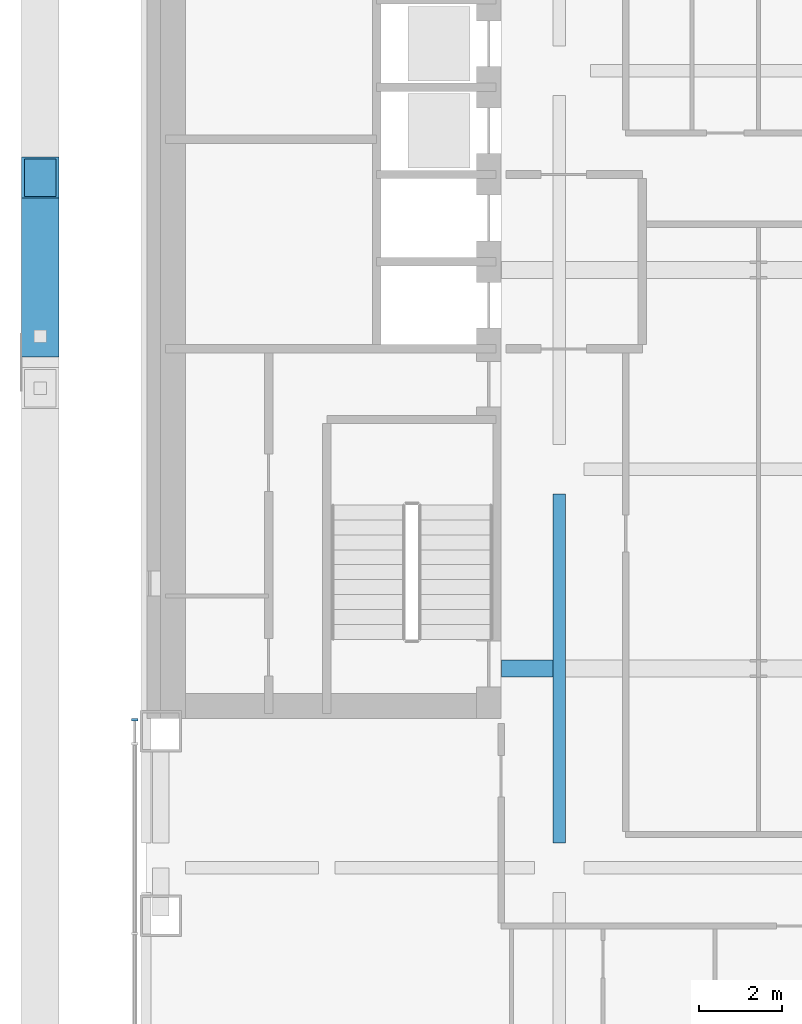
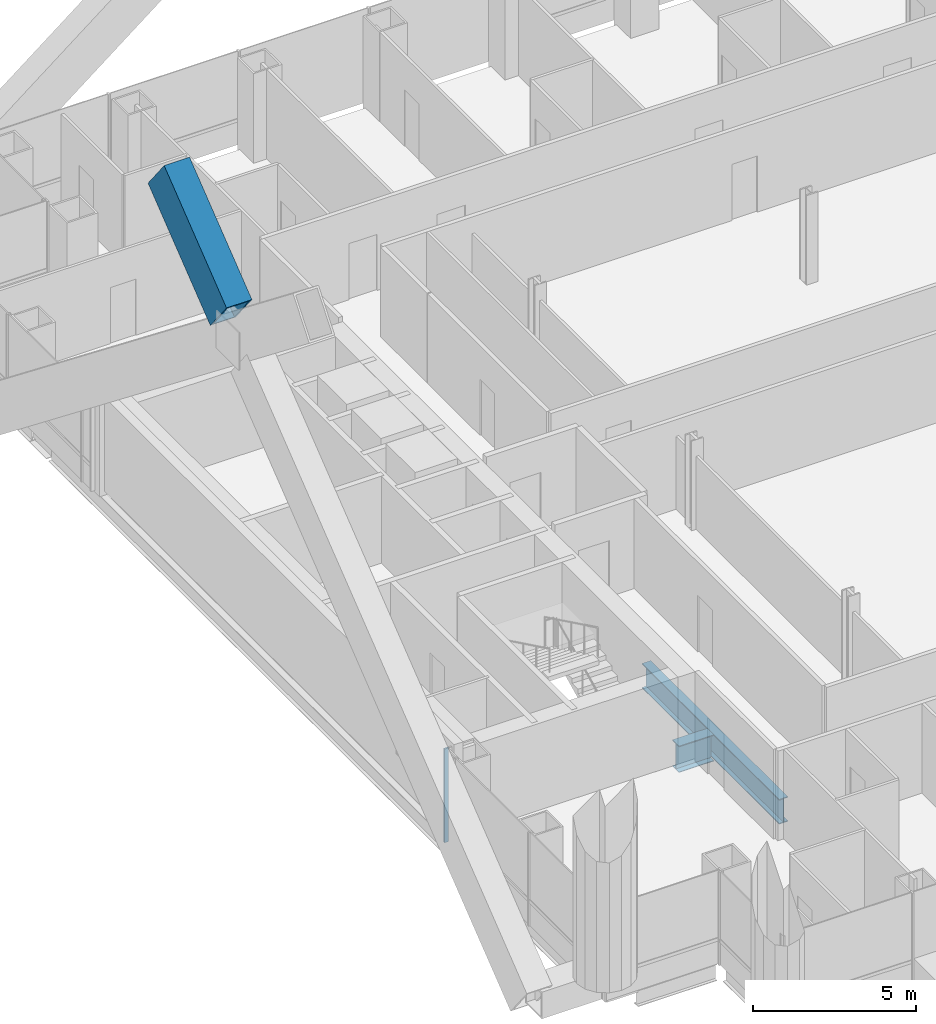
# One storey, part 4 of 28: 2 beams, 2 members, 1 element without a shape of its own.
"""IFC4 building model written with IfcOpenShell, lengths in metres."""

from ifc_helpers import new_model, si_unit, direction, frame, origin, origin_2d, place, context, subcontext, project, spatial, rectangle, hollow_rectangle, i_section, extrude, material, material_profile, profile_set, type_object, element, aggregate, save


model = new_model("IFC4")

# Units and contexts
model_context = context("Model", 3, precision=1e-05, world=origin(), true_north=direction((0.0, 1.0)))
body_context = subcontext(model_context, "Body", "Model", "MODEL_VIEW")
ifc_project = project(units=[si_unit("LENGTHUNIT", "METRE"), si_unit("AREAUNIT", "SQUARE_METRE"), si_unit("VOLUMEUNIT", "CUBIC_METRE"), si_unit("PLANEANGLEUNIT", "RADIAN"), si_unit("MASSUNIT", "GRAM", prefix="KILO")], contexts=[model_context])

# Site, building, storey
site_placement = place(None, origin())
site = spatial("IfcSite", under=ifc_project, at=site_placement, CompositionType="ELEMENT")
building_placement = place(site_placement, origin())
building = spatial("IfcBuilding", under=site, at=building_placement, Name="Cobrizo Arcos Hotel Tower", CompositionType="ELEMENT")
storey_placement = place(building_placement, frame((0.0, 0.0, 39.0)))
storey = spatial("IfcBuildingStorey", under=building, at=storey_placement, Name="L07", CompositionType="ELEMENT", Elevation=39.0)

# Member
ifc_material_1 = material(Name="Steel ASTM A572 Grade 50", Category="steel")
ifc_material_profile_1 = material_profile(ifc_material_1, hollow_rectangle(XDim=0.89990234375, YDim=1.60009765625, WallThickness=0.070068359375, at=origin_2d()), Name="BOX 900X1600X70")
ifc_profile_set_1 = profile_set([ifc_material_profile_1], Name="Steel ASTM A572 Grade 50")
member_type_1 = type_object("IfcMemberType", Name="BOX 900X1600X70 perimeter brace", PredefinedType="BRACE", material=ifc_profile_set_1)
member_1_placement = place(storey_placement, frame((-26.89990234375, -1.599365234375, 14.990478515625), z_axis=(0.0, 0.785629910753, 0.618696729691), x_axis=(-1.0, 0.0, 0.0)))
element("IfcMember", 1, at=member_1_placement, inside=storey, type_object=member_type_1, Name="Perimeter brace PBR1, zone Z1, west face, no. 01b", PredefinedType="BRACE", context=body_context, shape_type="SweptSolid", body=[
    extrude(hollow_rectangle(XDim=0.89990234375, YDim=1.60009765625, WallThickness=0.070068359375, at=origin_2d()), origin(), (0.0, 0.0, 1.0), 4.8642578125),
])

# Curtain wall, member
ifc_material_2 = material(Name="Aluminium 6063-T6 anodised bronze", Category="aluminium")
curtain_wall_type = type_object("IfcCurtainWallType", Name="CW-A guest facade", PredefinedType="NOTDEFINED", material=ifc_material_2)
curtain_wall_placement = place(storey_placement, origin())
curtain_wall = element("IfcCurtainWall", 2, at=curtain_wall_placement, inside=storey, type_object=curtain_wall_type, Name="CW-A L07 W face", PredefinedType="NOTDEFINED")
ifc_material_profile_2 = material_profile(ifc_material_2, rectangle(XDim=0.14990234375, YDim=0.06005859375, at=origin_2d()), Name="CW-A mullion 150x60")
ifc_profile_set_2 = profile_set([ifc_material_profile_2], Name="Aluminium 6063-T6 anodised bronze")
member_type_2 = type_object("IfcMemberType", Name="CW-A mullion 150x60", PredefinedType="MULLION", material=ifc_profile_set_2)
member_2_placement = place(storey_placement, frame((-24.625, -10.830078125, 0.0), z_axis=(0.0, 0.0, 1.0), x_axis=(-1.0, 0.0, 0.0)))
member_2 = element("IfcMember", 3, at=member_2_placement, type_object=member_type_2, Name="CW-A mullion 1", PredefinedType="MULLION", context=body_context, shape_type="SweptSolid", body=[
    extrude(rectangle(XDim=0.14990234375, YDim=0.06005859375, at=origin_2d()), origin(), (0.0, 0.0, 1.0), 3.5),
])
aggregate(curtain_wall, [member_2])

# Beams
ifc_material_3 = material(Name="Steel ASTM A992 Grade 50", Category="steel")
ifc_material_profile_3 = material_profile(ifc_material_3, i_section(OverallWidth=0.307373046875, OverallDepth=0.927001953125, WebThickness=0.01953125, FlangeThickness=0.031982421875, at=origin_2d()), Name="W36X194")
ifc_profile_set_3 = profile_set([ifc_material_profile_3], Name="Steel ASTM A992 Grade 50")
beam_type_1 = type_object("IfcBeamType", Name="W36X194 podium girder", PredefinedType="BEAM", material=ifc_profile_set_3)
beam_1_placement = place(storey_placement, frame((-14.39990234375, -13.800048828125, -0.613525390625), z_axis=(0.0, 1.0, 0.0), x_axis=(-1.0, 0.0, 0.0)))
element("IfcBeam", 4, at=beam_1_placement, inside=storey, type_object=beam_type_1, Name="Podium girder PG1, L07, no. 024", PredefinedType="BEAM", context=body_context, shape_type="SweptSolid", body=[
    extrude(i_section(OverallWidth=0.307373046875, OverallDepth=0.927001953125, WebThickness=0.01953125, FlangeThickness=0.031982421875, at=origin_2d()), origin(), (0.0, 0.0, 1.0), 8.400146484375),
])
ifc_material_profile_4 = material_profile(ifc_material_3, i_section(OverallWidth=0.4013671875, OverallDepth=0.990478515625, WebThickness=0.0166015625, FlangeThickness=0.025390625, at=origin_2d()), Name="W40X215")
ifc_profile_set_4 = profile_set([ifc_material_profile_4], Name="Steel ASTM A992 Grade 50")
beam_type_2 = type_object("IfcBeamType", Name="W40X215 transfer girder", PredefinedType="BEAM", material=ifc_profile_set_4)
beam_2_placement = place(storey_placement, frame((-15.7900390625, -9.60009765625, -0.645263671875), z_axis=(1.0, 0.0, 0.0), x_axis=(0.0, 1.0, 0.0)))
element("IfcBeam", 5, at=beam_2_placement, inside=storey, type_object=beam_type_2, Name="Transfer girder TG1, L07, no. 001", PredefinedType="BEAM", context=body_context, shape_type="SweptSolid", body=[
    extrude(i_section(OverallWidth=0.4013671875, OverallDepth=0.990478515625, WebThickness=0.0166015625, FlangeThickness=0.025390625, at=origin_2d()), origin(), (0.0, 0.0, 1.0), 1.236328125),
])

save(model, "model.ifc")
